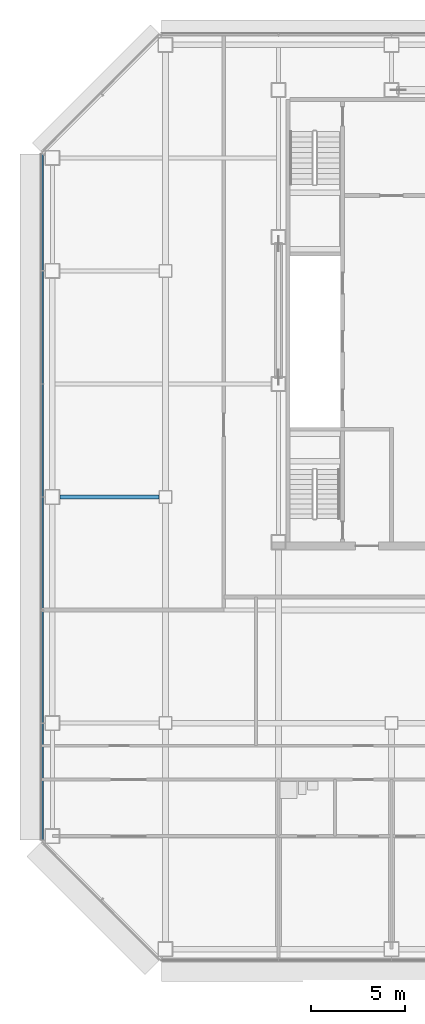
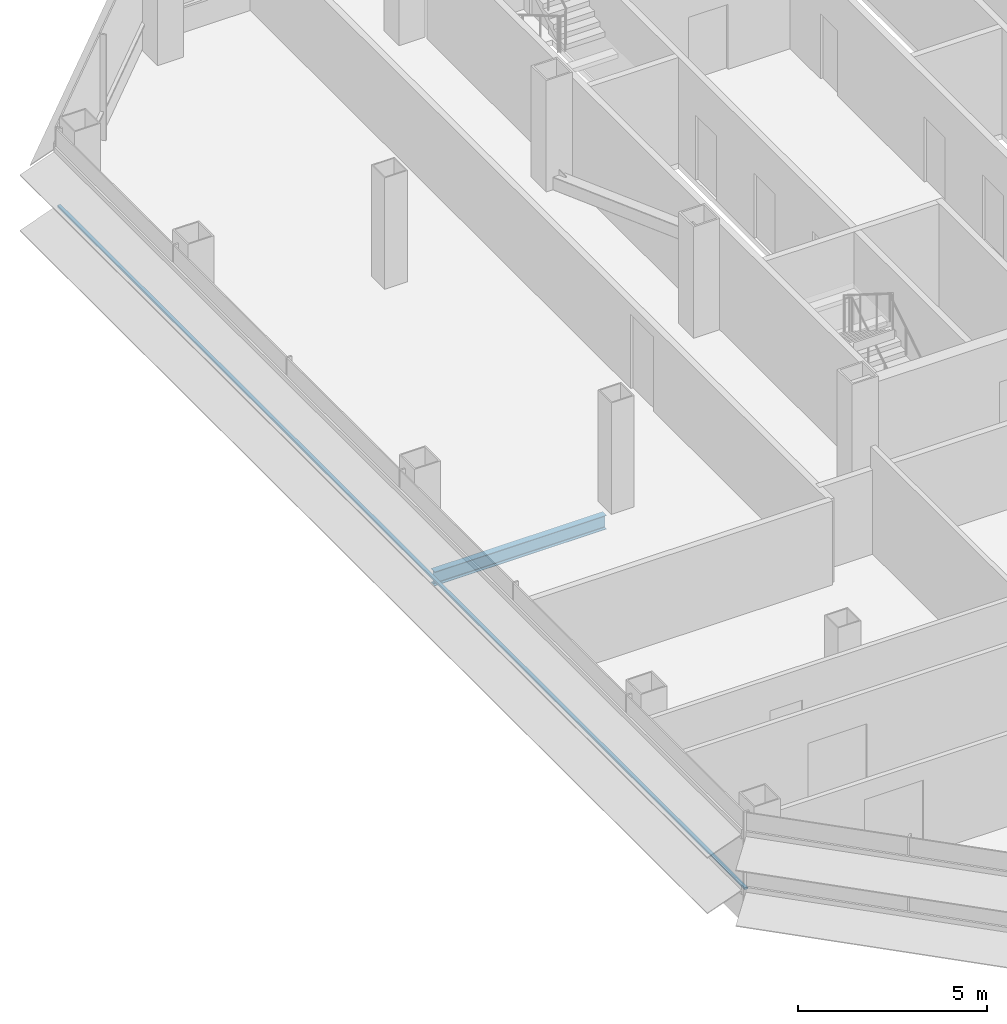
# One storey, part 5 of 25: 1 beam, 1 member, 1 element without a shape of its own.
"""IFC4 building model written with IfcOpenShell, lengths in metres."""

from ifc_helpers import new_model, si_unit, direction, frame, origin, origin_2d, place, context, subcontext, project, spatial, rectangle, i_section, extrude, material, material_profile, profile_set, type_object, element, aggregate, save


model = new_model("IFC4")

# Units and contexts
model_context = context("Model", 3, precision=1e-05, world=origin(), true_north=direction((0.0, 1.0)))
body_context = subcontext(model_context, "Body", "Model", "MODEL_VIEW")
ifc_project = project(units=[si_unit("LENGTHUNIT", "METRE"), si_unit("AREAUNIT", "SQUARE_METRE"), si_unit("VOLUMEUNIT", "CUBIC_METRE"), si_unit("PLANEANGLEUNIT", "RADIAN"), si_unit("MASSUNIT", "GRAM", prefix="KILO")], contexts=[model_context])

# Site, building, storey
site_placement = place(None, origin())
site = spatial("IfcSite", under=ifc_project, at=site_placement, CompositionType="ELEMENT")
building_placement = place(site_placement, origin())
building = spatial("IfcBuilding", under=site, at=building_placement, Name="Sorahane Residences", CompositionType="ELEMENT")
storey_placement = place(building_placement, frame((0.0, 0.0, 107.0)))
storey = spatial("IfcBuildingStorey", under=building, at=storey_placement, Name="L23", CompositionType="ELEMENT", Elevation=107.0)

# Curtain wall, member
ifc_material_1 = material(Name="Dark low-e glass and black anodised aluminium", Category="aluminium")
curtain_wall_type = type_object("IfcCurtainWallType", Name="Curtain wall CW-1 Typical unitised wall", PredefinedType="NOTDEFINED", material=ifc_material_1)
curtain_wall_placement = place(storey_placement, origin())
curtain_wall = element("IfcCurtainWall", 1, at=curtain_wall_placement, inside=storey, type_object=curtain_wall_type, Name="CW-1 curtain wall L23 W1", PredefinedType="NOTDEFINED")
ifc_material_2 = material(Name="Black anodised aluminium", Category="aluminium")
ifc_material_profile_1 = material_profile(ifc_material_2, rectangle(XDim=0.10009765625, YDim=0.06005859375, at=origin_2d()), Name="Curtain wall transom CW-1 black anodised aluminium 60x100")
ifc_profile_set_1 = profile_set([ifc_material_profile_1], Name="Black anodised aluminium")
member_type = type_object("IfcMemberType", Name="Curtain wall transom CW-1 black anodised aluminium 60x100", PredefinedType="USERDEFINED", material=ifc_profile_set_1)
member_placement = place(storey_placement, frame((-6.530029296875, 42.198486328125, 0.89990234375), z_axis=(0.0, -1.0, 0.0), x_axis=(1.0, 0.0, 0.0)))
member = element("IfcMember", 2, at=member_placement, type_object=member_type, Name="CW-1 transom L23 W1", ObjectType="TRANSOM", PredefinedType="USERDEFINED", context=body_context, shape_type="SweptSolid", body=[
    extrude(rectangle(XDim=0.10009765625, YDim=0.06005859375, at=origin_2d()), origin(), (0.0, 0.0, 1.0), 36.39697265625),
])
aggregate(curtain_wall, [member])

# Beam
ifc_material_3 = material(Name="Steel Q355B", Category="steel")
ifc_material_profile_2 = material_profile(ifc_material_3, i_section(OverallWidth=0.199951171875, OverallDepth=0.449951171875, WebThickness=0.009033203125, FlangeThickness=0.013916015625, FilletRadius=0.02001953125, at=origin_2d()), Name="HN 450x200x9x14")
ifc_profile_set_2 = profile_set([ifc_material_profile_2], Name="Steel Q355B")
beam_type = type_object("IfcBeamType", Name="Steel floor beam HN 450x200x9x14 Q355B", PredefinedType="BEAM", material=ifc_profile_set_2)
beam_placement = place(storey_placement, frame((-5.60009765625, 24.0, -0.405029296875), z_axis=(1.0, 0.0, 0.0), x_axis=(0.0, 1.0, 0.0)))
element("IfcBeam", 3, at=beam_placement, inside=storey, type_object=beam_type, Name="Beam L23 011", PredefinedType="BEAM", context=body_context, shape_type="SweptSolid", body=[
    extrude(i_section(OverallWidth=0.199951171875, OverallDepth=0.449951171875, WebThickness=0.009033203125, FlangeThickness=0.013916015625, FilletRadius=0.02001953125, at=origin_2d()), origin(), (0.0, 0.0, 1.0), 5.25),
])

save(model, "model.ifc")
